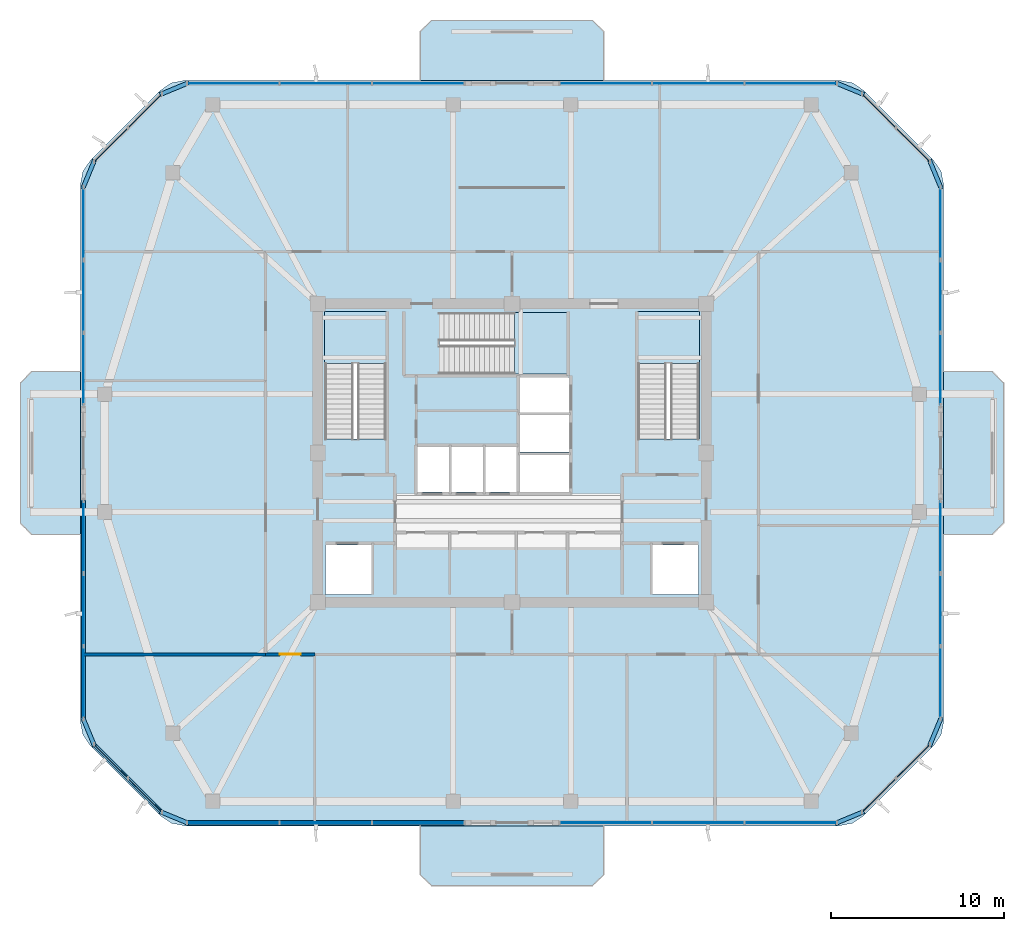
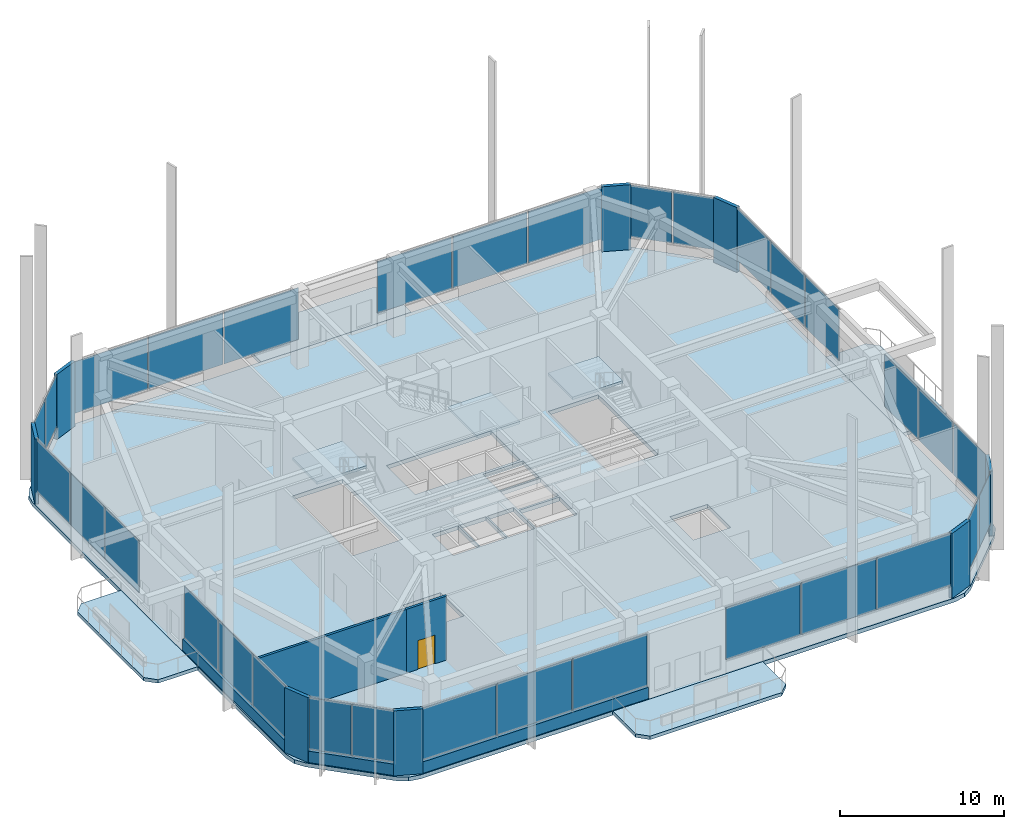
# One storey, part 6 of 14: 40 plates, 8 slabs, 5 walls, 1 door, 1 opening, 15 elements without a shape of their own.
"""IFC4 building model written with IfcOpenShell, lengths in metres."""

import ifcopenshell
import ifcopenshell.guid

model = None  # the IFC model being written
_history = None  # IfcOwnerHistory: only IFC2X3 demands one
_inside = {}  # id of a spatial element -> (the spatial element, [elements in it])
_under = {}  # id of a project, library or spatial element -> (it, [spatial elements below it])
_declared = {}  # id of a project -> (the project, [libraries it declares])
_typed = {}  # id of a type object -> (the type object, [elements of that type])
_made_of = {}  # id of a material, layer set ... -> (it, [elements and type objects made of it])


def new_model(schema):
    """Start an empty IFC model of exactly this schema.

    Asked for "IFC4X3", IfcOpenShell would pick the latest addendum, in which some entities
    have other attributes; the version numbers below select the first issue.
    IFC2X3 requires an IfcOwnerHistory on every rooted entity: one is made here for all.
    """
    global model, _history
    if schema == "IFC4X3":
        model = ifcopenshell.file(schema_version=(4, 3, 0, 0))
    else:
        model = ifcopenshell.file(schema=schema)
    _inside.clear()
    _under.clear()
    _declared.clear()
    _typed.clear()
    _made_of.clear()
    _history = None
    if model.schema == "IFC2X3":
        org = make("IfcOrganization", Name="unknown")
        user = make(
            "IfcPersonAndOrganization",
            ThePerson=make("IfcPerson", FamilyName="unknown"),
            TheOrganization=org,
        )
        app = make(
            "IfcApplication",
            ApplicationDeveloper=org,
            Version="unknown",
            ApplicationFullName="unknown",
            ApplicationIdentifier="unknown",
        )
        _history = make(
            "IfcOwnerHistory",
            OwningUser=user,
            OwningApplication=app,
            ChangeAction="ADDED",
            CreationDate=0,
        )
    return model


def make(cls, **values):
    """One entity of the class cls with the attributes given. An attribute that is None is left unset."""
    return model.create_entity(
        cls, **{name: value for name, value in values.items() if value is not None}
    )


def rooted(cls, **values):
    """An entity with a GlobalId (a new one), such as an element, a storey or a relation."""
    return make(cls, GlobalId=ifcopenshell.guid.new(), OwnerHistory=_history, **values)


def si_unit(unit_type, name, prefix=None):
    """IfcSIUnit, for example si_unit("LENGTHUNIT", "METRE", prefix="MILLI")."""
    return make("IfcSIUnit", UnitType=unit_type, Prefix=prefix, Name=name)


def derived_unit(unit_type, elements):
    """IfcDerivedUnit: a product of units, each with its exponent."""
    return make(
        "IfcDerivedUnit",
        Elements=[
            make("IfcDerivedUnitElement", Unit=unit, Exponent=power)
            for unit, power in elements
        ],
        UnitType=unit_type,
    )


def assignment(units):
    """IfcUnitAssignment: the units of a project."""
    return None if units is None else make("IfcUnitAssignment", Units=units)


def point(xyz):
    """IfcCartesianPoint."""
    return None if xyz is None else make("IfcCartesianPoint", Coordinates=xyz)


def direction(xyz):
    """IfcDirection."""
    return None if xyz is None else make("IfcDirection", DirectionRatios=xyz)


def frame(location, z_axis=None, x_axis=None):
    """IfcAxis2Placement3D, a coordinate frame: its origin and axes. An axis left out is left unset."""
    return make(
        "IfcAxis2Placement3D",
        Location=point(location),
        Axis=direction(z_axis),
        RefDirection=direction(x_axis),
    )


def frame_2d(location, x_axis=None):
    """IfcAxis2Placement2D, a coordinate frame in the plane: its origin and x axis."""
    return make(
        "IfcAxis2Placement2D", Location=point(location), RefDirection=direction(x_axis)
    )


def origin():
    """The frame at (0, 0, 0) with its axes left unset."""
    return frame((0.0, 0.0, 0.0))


def origin_2d():
    """The frame at (0, 0) in the plane with its x axis left unset."""
    return frame_2d((0.0, 0.0))


def place(relative_to, where):
    """IfcLocalPlacement: puts the frame where relative to a parent placement (None: the world)."""
    return make(
        "IfcLocalPlacement", PlacementRelTo=relative_to, RelativePlacement=where
    )


def context(
    kind, dimensions, precision=None, world=None, true_north=None, identifier=None
):
    """IfcGeometricRepresentationContext, for example the 3D "Model" context."""
    return make(
        "IfcGeometricRepresentationContext",
        ContextIdentifier=identifier,
        ContextType=kind,
        CoordinateSpaceDimension=dimensions,
        Precision=precision,
        WorldCoordinateSystem=world,
        TrueNorth=true_north,
    )


def subcontext(parent, identifier, kind, view, scale=None):
    """IfcGeometricRepresentationSubContext, for example "Body" below "Model"."""
    return make(
        "IfcGeometricRepresentationSubContext",
        ContextIdentifier=identifier,
        ContextType=kind,
        ParentContext=parent,
        TargetScale=scale,
        TargetView=view,
    )


def project(units=None, contexts=None):
    """IfcProject with its units and contexts."""
    return rooted(
        "IfcProject",
        Name="project",
        RepresentationContexts=contexts,
        UnitsInContext=assignment(units),
    )


def spatial(cls, under=None, at=None, **own):
    """A site, building, storey or space (cls), placed at a placement, below another one or the project."""
    s = rooted(cls, ObjectPlacement=at, **own)
    if under is not None:
        _under.setdefault(under.id(), (under, []))[1].append(s)
    return s


def polyline(points):
    """IfcPolyline through the points."""
    return make("IfcPolyline", Points=[point(p) for p in points])


def profile(cls, at=None, kind="AREA", **sizes):
    """A parametric profile (cls). Its sizes go by their IFC names, for example OverallWidth=200.0."""
    return make(cls, ProfileType=kind, Position=at, **sizes)


def rectangle(**sizes):
    """IfcRectangleProfileDef."""
    return profile("IfcRectangleProfileDef", **sizes)


def outline(outer, holes=None, kind="AREA"):
    """IfcArbitraryClosedProfileDef: a profile drawn as a closed curve; with holes, ...WithVoids."""
    if holes is None:
        return make("IfcArbitraryClosedProfileDef", ProfileType=kind, OuterCurve=outer)
    return make(
        "IfcArbitraryProfileDefWithVoids",
        ProfileType=kind,
        OuterCurve=outer,
        InnerCurves=holes,
    )


def extrude(swept, where, along, depth):
    """IfcExtrudedAreaSolid: the profile swept, set in the frame where, extruded along a direction by depth."""
    return make(
        "IfcExtrudedAreaSolid",
        SweptArea=swept,
        Position=where,
        ExtrudedDirection=direction(along),
        Depth=depth,
    )


def shape(context_of_items, identifier, shape_type, items):
    """IfcShapeRepresentation: the items that make up one representation, for example the "Body"."""
    return make(
        "IfcShapeRepresentation",
        ContextOfItems=context_of_items,
        RepresentationIdentifier=identifier,
        RepresentationType=shape_type,
        Items=items,
    )


def material(Name=None, Category=None):
    """IfcMaterial."""
    return make("IfcMaterial", Name=Name, Category=Category)


def layer(
    of_material, thickness, ventilated=None, Name=None, Category=None, Priority=None
):
    """IfcMaterialLayer: one layer of a wall or slab, of a material (None: an air gap)."""
    return make(
        "IfcMaterialLayer",
        Material=of_material,
        LayerThickness=thickness,
        IsVentilated=ventilated,
        Name=Name,
        Category=Category,
        Priority=Priority,
    )


def layer_set(layers, Name=None):
    """IfcMaterialLayerSet."""
    return make("IfcMaterialLayerSet", MaterialLayers=layers, LayerSetName=Name)


def made_of(thing, what):
    """Note that an element or type object is made of a material, layer set ...; save() writes the relation."""
    if what is not None:
        _made_of.setdefault(what.id(), (what, []))[1].append(thing)
    return thing


def type_object(cls, material=None, **own):
    """A type object (cls), such as IfcWallType, which elements share."""
    return made_of(rooted(cls, **own), material)


def element(
    cls,
    number,
    at=None,
    inside=None,
    cuts=None,
    type_object=None,
    material=None,
    context=None,
    identifier="Body",
    shape_type=None,
    held_by="IfcProductDefinitionShape",
    body=None,
    shapes=None,
    **own,
):
    """One element of the class cls, such as IfcWall. Its Tag is "e" and its number.

    at: its placement. inside: the storey or other place that contains it. cuts: it is an
    opening in that element (IfcRelVoidsElement). A single representation is given by context,
    identifier, shape_type and body (its items); several are given by shapes. held_by: the class
    of the entity that holds the representations. save() writes the other relations.
    """
    e = rooted(cls, Tag="e%d" % number, ObjectPlacement=at, **own)
    if body is not None:
        shapes = [shape(context, identifier, shape_type, body)]
    if shapes is not None:
        e.Representation = make(held_by, Representations=shapes)
    if inside is not None:
        _inside.setdefault(inside.id(), (inside, []))[1].append(e)
    if cuts is not None:
        rooted(
            "IfcRelVoidsElement", RelatingBuildingElement=cuts, RelatedOpeningElement=e
        )
    if type_object is not None:
        _typed.setdefault(type_object.id(), (type_object, []))[1].append(e)
    return made_of(e, material)


def fill(opening, filler):
    """IfcRelFillsElement: the door or window that sits in an opening."""
    return rooted(
        "IfcRelFillsElement",
        RelatingOpeningElement=opening,
        RelatedBuildingElement=filler,
    )


def aggregate(whole, parts):
    """IfcRelAggregates: a whole, such as a stair, and the parts it consists of."""
    return rooted("IfcRelAggregates", RelatingObject=whole, RelatedObjects=parts)


def save(model, path):
    """Write the relations noted so far, then the file.

    IfcRelAggregates (storeys below a building ...), IfcRelContainedInSpatialStructure (elements
    in a storey), IfcRelDefinesByType, IfcRelAssociatesMaterial and IfcRelDeclares: one each for
    every whole, place, type object, material and project.
    """
    for whole, parts in _under.values():
        aggregate(whole, parts)
    for where, things in _inside.values():
        rooted(
            "IfcRelContainedInSpatialStructure",
            RelatedElements=things,
            RelatingStructure=where,
        )
    for kind, things in _typed.values():
        rooted("IfcRelDefinesByType", RelatedObjects=things, RelatingType=kind)
    for what, things in _made_of.values():
        rooted("IfcRelAssociatesMaterial", RelatedObjects=things, RelatingMaterial=what)
    for by, libraries in _declared.values():
        rooted("IfcRelDeclares", RelatingContext=by, RelatedDefinitions=libraries)
    model.write(path)


model = new_model("IFC4")

# Units and contexts
model_context = context("Model", 3, precision=1e-05, world=origin(), true_north=direction((0.0, 1.0)))
body_context = subcontext(model_context, "Body", "Model", "MODEL_VIEW")
ifc_project = project(units=[si_unit("LENGTHUNIT", "METRE"), si_unit("AREAUNIT", "SQUARE_METRE"), si_unit("VOLUMEUNIT", "CUBIC_METRE"), si_unit("PLANEANGLEUNIT", "RADIAN"), si_unit("MASSUNIT", "GRAM", prefix="KILO"), derived_unit("THERMALTRANSMITTANCEUNIT", [(si_unit("POWERUNIT", "WATT"), 1), (si_unit("LENGTHUNIT", "METRE"), -2), (si_unit("THERMODYNAMICTEMPERATUREUNIT", "KELVIN"), -1)])], contexts=[model_context])

# Site, building, storey
site_placement = place(None, origin())
site = spatial("IfcSite", under=ifc_project, at=site_placement, CompositionType="ELEMENT")
building_placement = place(site_placement, origin())
building = spatial("IfcBuilding", under=site, at=building_placement, Name="Koralith Skygarden Medical Center", CompositionType="ELEMENT")
storey_placement = place(building_placement, frame((0.0, 0.0, 237.06005859375)))
storey = spatial("IfcBuildingStorey", under=building, at=storey_placement, Name="L61", CompositionType="ELEMENT", Elevation=237.06005859375)

# Curtain wall, plates
ifc_material_1 = material(Name="Clear Laminated Glass", Category="glass")
curtain_wall_type = type_object("IfcCurtainWallType", Name="CW-7 Sky-Garden & Pool Conservatory Wall", PredefinedType="NOTDEFINED", material=ifc_material_1)
curtain_wall_1_placement = place(storey_placement, origin())
curtain_wall_1 = element("IfcCurtainWall", 1, at=curtain_wall_1_placement, inside=storey, type_object=curtain_wall_type, Name="Curtain Wall CW-L61-S-L", PredefinedType="NOTDEFINED")
ifc_layer_1 = layer(ifc_material_1, 0.0419921875)
ifc_layer_set_1 = layer_set([ifc_layer_1], Name="Clear Laminated Glass")
plate_type_1 = type_object("IfcPlateType", Name="CW-7 Hurricane Laminated IGU Panel 42", PredefinedType="CURTAIN_PANEL", material=ifc_layer_set_1)
plate_1_placement = place(storey_placement, frame((20.922119140625, 4.580078125, 0.919921875), z_axis=(0.0, 0.0, 1.0), x_axis=(1.0, 0.0, 0.0)))
plate_1 = element("IfcPlate", 2, at=plate_1_placement, type_object=plate_type_1, Name="CW-L61-S-L Glazed Panel 1", PredefinedType="CURTAIN_PANEL", context=body_context, shape_type="SweptSolid", body=[
    extrude(rectangle(XDim=5.2451171875, YDim=0.0419921875, at=origin_2d()), origin(), (0.0, 0.0, 1.0), 3.860107421875),
])
plate_2_placement = place(storey_placement, frame((26.257080078125, 4.580078125, 0.919921875), z_axis=(0.0, 0.0, 1.0), x_axis=(1.0, 0.0, 0.0)))
plate_2 = element("IfcPlate", 3, at=plate_2_placement, type_object=plate_type_1, Name="CW-L61-S-L Glazed Panel 2", PredefinedType="CURTAIN_PANEL", context=body_context, shape_type="SweptSolid", body=[
    extrude(rectangle(XDim=5.2451171875, YDim=0.0419921875, at=origin_2d()), origin(), (0.0, 0.0, 1.0), 3.860107421875),
])
plate_3_placement = place(storey_placement, frame((31.592041015625, 4.580078125, 0.919921875), z_axis=(0.0, 0.0, 1.0), x_axis=(1.0, 0.0, 0.0)))
plate_3 = element("IfcPlate", 4, at=plate_3_placement, type_object=plate_type_1, Name="CW-L61-S-L Glazed Panel 3", PredefinedType="CURTAIN_PANEL", context=body_context, shape_type="SweptSolid", body=[
    extrude(rectangle(XDim=5.2451171875, YDim=0.0419921875, at=origin_2d()), origin(), (0.0, 0.0, 1.0), 3.860107421875),
])
aggregate(curtain_wall_1, [plate_1, plate_2, plate_3])

curtain_wall_2_placement = place(storey_placement, origin())
curtain_wall_2 = element("IfcCurtainWall", 5, at=curtain_wall_2_placement, inside=storey, type_object=curtain_wall_type, Name="Curtain Wall CW-L61-S-R", PredefinedType="NOTDEFINED")
plate_4_placement = place(storey_placement, frame((42.406982421875, 4.580078125, 0.919921875), z_axis=(0.0, 0.0, 1.0), x_axis=(1.0, 0.0, 0.0)))
plate_4 = element("IfcPlate", 6, at=plate_4_placement, type_object=plate_type_1, Name="CW-L61-S-R Glazed Panel 1", PredefinedType="CURTAIN_PANEL", context=body_context, shape_type="SweptSolid", body=[
    extrude(rectangle(XDim=5.2451171875, YDim=0.0419921875, at=origin_2d()), origin(), (0.0, 0.0, 1.0), 3.860107421875),
])
plate_5_placement = place(storey_placement, frame((47.741943359375, 4.580078125, 0.919921875), z_axis=(0.0, 0.0, 1.0), x_axis=(1.0, 0.0, 0.0)))
plate_5 = element("IfcPlate", 7, at=plate_5_placement, type_object=plate_type_1, Name="CW-L61-S-R Glazed Panel 2", PredefinedType="CURTAIN_PANEL", context=body_context, shape_type="SweptSolid", body=[
    extrude(rectangle(XDim=5.2451171875, YDim=0.0419921875, at=origin_2d()), origin(), (0.0, 0.0, 1.0), 3.860107421875),
])
plate_6_placement = place(storey_placement, frame((53.076904296875, 4.580078125, 0.919921875), z_axis=(0.0, 0.0, 1.0), x_axis=(1.0, 0.0, 0.0)))
plate_6 = element("IfcPlate", 8, at=plate_6_placement, type_object=plate_type_1, Name="CW-L61-S-R Glazed Panel 3", PredefinedType="CURTAIN_PANEL", context=body_context, shape_type="SweptSolid", body=[
    extrude(rectangle(XDim=5.2451171875, YDim=0.0419921875, at=origin_2d()), origin(), (0.0, 0.0, 1.0), 3.860107421875),
])
aggregate(curtain_wall_2, [plate_4, plate_5, plate_6])

curtain_wall_3_placement = place(storey_placement, origin())
curtain_wall_3 = element("IfcCurtainWall", 9, at=curtain_wall_3_placement, inside=storey, type_object=curtain_wall_type, Name="Curtain Wall CW-L61-SE", PredefinedType="NOTDEFINED")
plate_7_placement = place(storey_placement, frame((58.177001953125, 6.162109375, 0.919921875), z_axis=(0.0, 0.0, 1.0), x_axis=(0.707106781187, 0.707106781187, 0.0)))
plate_7 = element("IfcPlate", 10, at=plate_7_placement, type_object=plate_type_1, Name="CW-L61-SE Glazed Panel 1", PredefinedType="CURTAIN_PANEL", context=body_context, shape_type="SweptSolid", body=[
    extrude(rectangle(XDim=2.68408203125, YDim=0.0419921875, at=origin_2d()), origin(), (0.0, 0.0, 1.0), 3.860107421875),
])
plate_8_placement = place(storey_placement, frame((60.137939453125, 8.123046875, 0.919921875), z_axis=(0.0, 0.0, 1.0), x_axis=(0.707106781187, 0.707106781187, 0.0)))
plate_8 = element("IfcPlate", 11, at=plate_8_placement, type_object=plate_type_1, Name="CW-L61-SE Glazed Panel 2", PredefinedType="CURTAIN_PANEL", context=body_context, shape_type="SweptSolid", body=[
    extrude(rectangle(XDim=2.68408203125, YDim=0.0419921875, at=origin_2d()), origin(), (0.0, 0.0, 1.0), 3.860107421875),
])
aggregate(curtain_wall_3, [plate_7, plate_8])

curtain_wall_4_placement = place(storey_placement, origin())
curtain_wall_4 = element("IfcCurtainWall", 12, at=curtain_wall_4_placement, inside=storey, type_object=curtain_wall_type, Name="Curtain Wall CW-L61-E-L", PredefinedType="NOTDEFINED")
plate_9_placement = place(storey_placement, frame((61.719970703125, 12.656005859375, 0.919921875), z_axis=(0.0, 0.0, 1.0), x_axis=(0.0, 1.0, 0.0)))
plate_9 = element("IfcPlate", 13, at=plate_9_placement, type_object=plate_type_1, Name="CW-L61-E-L Glazed Panel 1", PredefinedType="CURTAIN_PANEL", context=body_context, shape_type="SweptSolid", body=[
    extrude(rectangle(XDim=4.112060546875, YDim=0.0419921875, at=origin_2d()), origin(), (0.0, 0.0, 1.0), 3.860107421875),
])
plate_10_placement = place(storey_placement, frame((61.719970703125, 16.85791015625, 0.919921875), z_axis=(0.0, 0.0, 1.0), x_axis=(0.0, 1.0, 0.0)))
plate_10 = element("IfcPlate", 14, at=plate_10_placement, type_object=plate_type_1, Name="CW-L61-E-L Glazed Panel 2", PredefinedType="CURTAIN_PANEL", context=body_context, shape_type="SweptSolid", body=[
    extrude(rectangle(XDim=4.112060546875, YDim=0.0419921875, at=origin_2d()), origin(), (0.0, 0.0, 1.0), 3.860107421875),
])
plate_11_placement = place(storey_placement, frame((61.719970703125, 21.05908203125, 0.919921875), z_axis=(0.0, 0.0, 1.0), x_axis=(0.0, 1.0, 0.0)))
plate_11 = element("IfcPlate", 15, at=plate_11_placement, type_object=plate_type_1, Name="CW-L61-E-L Glazed Panel 3", PredefinedType="CURTAIN_PANEL", context=body_context, shape_type="SweptSolid", body=[
    extrude(rectangle(XDim=4.112060546875, YDim=0.0419921875, at=origin_2d()), origin(), (0.0, 0.0, 1.0), 3.860107421875),
])
aggregate(curtain_wall_4, [plate_9, plate_10, plate_11])

curtain_wall_5_placement = place(storey_placement, origin())
curtain_wall_5 = element("IfcCurtainWall", 16, at=curtain_wall_5_placement, inside=storey, type_object=curtain_wall_type, Name="Curtain Wall CW-L61-E-R", PredefinedType="NOTDEFINED")
plate_12_placement = place(storey_placement, frame((61.719970703125, 30.740966796875, 0.919921875), z_axis=(0.0, 0.0, 1.0), x_axis=(0.0, 1.0, 0.0)))
plate_12 = element("IfcPlate", 17, at=plate_12_placement, type_object=plate_type_1, Name="CW-L61-E-R Glazed Panel 1", PredefinedType="CURTAIN_PANEL", context=body_context, shape_type="SweptSolid", body=[
    extrude(rectangle(XDim=4.112060546875, YDim=0.0419921875, at=origin_2d()), origin(), (0.0, 0.0, 1.0), 3.860107421875),
])
plate_13_placement = place(storey_placement, frame((61.719970703125, 34.94189453125, 0.919921875), z_axis=(0.0, 0.0, 1.0), x_axis=(0.0, 1.0, 0.0)))
plate_13 = element("IfcPlate", 18, at=plate_13_placement, type_object=plate_type_1, Name="CW-L61-E-R Glazed Panel 2", PredefinedType="CURTAIN_PANEL", context=body_context, shape_type="SweptSolid", body=[
    extrude(rectangle(XDim=4.112060546875, YDim=0.0419921875, at=origin_2d()), origin(), (0.0, 0.0, 1.0), 3.860107421875),
])
plate_14_placement = place(storey_placement, frame((61.719970703125, 39.14404296875, 0.919921875), z_axis=(0.0, 0.0, 1.0), x_axis=(0.0, 1.0, 0.0)))
plate_14 = element("IfcPlate", 19, at=plate_14_placement, type_object=plate_type_1, Name="CW-L61-E-R Glazed Panel 3", PredefinedType="CURTAIN_PANEL", context=body_context, shape_type="SweptSolid", body=[
    extrude(rectangle(XDim=4.112060546875, YDim=0.0419921875, at=origin_2d()), origin(), (0.0, 0.0, 1.0), 3.860107421875),
])
aggregate(curtain_wall_5, [plate_12, plate_13, plate_14])

curtain_wall_6_placement = place(storey_placement, origin())
curtain_wall_6 = element("IfcCurtainWall", 20, at=curtain_wall_6_placement, inside=storey, type_object=curtain_wall_type, Name="Curtain Wall CW-L61-NE", PredefinedType="NOTDEFINED")
plate_15_placement = place(storey_placement, frame((60.137939453125, 43.677001953125, 0.919921875), z_axis=(0.0, 0.0, 1.0), x_axis=(-0.707106781187, 0.707106781187, 0.0)))
plate_15 = element("IfcPlate", 21, at=plate_15_placement, type_object=plate_type_1, Name="CW-L61-NE Glazed Panel 1", PredefinedType="CURTAIN_PANEL", context=body_context, shape_type="SweptSolid", body=[
    extrude(rectangle(XDim=2.68408203125, YDim=0.0419921875, at=origin_2d()), origin(), (0.0, 0.0, 1.0), 3.860107421875),
])
plate_16_placement = place(storey_placement, frame((58.177001953125, 45.637939453125, 0.919921875), z_axis=(0.0, 0.0, 1.0), x_axis=(-0.707106781187, 0.707106781187, 0.0)))
plate_16 = element("IfcPlate", 22, at=plate_16_placement, type_object=plate_type_1, Name="CW-L61-NE Glazed Panel 2", PredefinedType="CURTAIN_PANEL", context=body_context, shape_type="SweptSolid", body=[
    extrude(rectangle(XDim=2.68408203125, YDim=0.0419921875, at=origin_2d()), origin(), (0.0, 0.0, 1.0), 3.860107421875),
])
aggregate(curtain_wall_6, [plate_15, plate_16])

curtain_wall_7_placement = place(storey_placement, origin())
curtain_wall_7 = element("IfcCurtainWall", 23, at=curtain_wall_7_placement, inside=storey, type_object=curtain_wall_type, Name="Curtain Wall CW-L61-N-L", PredefinedType="NOTDEFINED")
plate_17_placement = place(storey_placement, frame((53.077880859375, 47.219970703125, 0.919921875), z_axis=(0.0, 0.0, 1.0), x_axis=(-1.0, 0.0, 0.0)))
plate_17 = element("IfcPlate", 24, at=plate_17_placement, type_object=plate_type_1, Name="CW-L61-N-L Glazed Panel 1", PredefinedType="CURTAIN_PANEL", context=body_context, shape_type="SweptSolid", body=[
    extrude(rectangle(XDim=5.2451171875, YDim=0.0419921875, at=origin_2d()), origin(), (0.0, 0.0, 1.0), 3.860107421875),
])
plate_18_placement = place(storey_placement, frame((47.742919921875, 47.219970703125, 0.919921875), z_axis=(0.0, 0.0, 1.0), x_axis=(-1.0, 0.0, 0.0)))
plate_18 = element("IfcPlate", 25, at=plate_18_placement, type_object=plate_type_1, Name="CW-L61-N-L Glazed Panel 2", PredefinedType="CURTAIN_PANEL", context=body_context, shape_type="SweptSolid", body=[
    extrude(rectangle(XDim=5.2451171875, YDim=0.0419921875, at=origin_2d()), origin(), (0.0, 0.0, 1.0), 3.860107421875),
])
plate_19_placement = place(storey_placement, frame((42.407958984375, 47.219970703125, 0.919921875), z_axis=(0.0, 0.0, 1.0), x_axis=(-1.0, 0.0, 0.0)))
plate_19 = element("IfcPlate", 26, at=plate_19_placement, type_object=plate_type_1, Name="CW-L61-N-L Glazed Panel 3", PredefinedType="CURTAIN_PANEL", context=body_context, shape_type="SweptSolid", body=[
    extrude(rectangle(XDim=5.2451171875, YDim=0.0419921875, at=origin_2d()), origin(), (0.0, 0.0, 1.0), 3.860107421875),
])
aggregate(curtain_wall_7, [plate_17, plate_18, plate_19])

curtain_wall_8_placement = place(storey_placement, origin())
curtain_wall_8 = element("IfcCurtainWall", 27, at=curtain_wall_8_placement, inside=storey, type_object=curtain_wall_type, Name="Curtain Wall CW-L61-N-R", PredefinedType="NOTDEFINED")
plate_20_placement = place(storey_placement, frame((31.593017578125, 47.219970703125, 0.919921875), z_axis=(0.0, 0.0, 1.0), x_axis=(-1.0, 0.0, 0.0)))
plate_20 = element("IfcPlate", 28, at=plate_20_placement, type_object=plate_type_1, Name="CW-L61-N-R Glazed Panel 1", PredefinedType="CURTAIN_PANEL", context=body_context, shape_type="SweptSolid", body=[
    extrude(rectangle(XDim=5.2451171875, YDim=0.0419921875, at=origin_2d()), origin(), (0.0, 0.0, 1.0), 3.860107421875),
])
plate_21_placement = place(storey_placement, frame((26.258056640625, 47.219970703125, 0.919921875), z_axis=(0.0, 0.0, 1.0), x_axis=(-1.0, 0.0, 0.0)))
plate_21 = element("IfcPlate", 29, at=plate_21_placement, type_object=plate_type_1, Name="CW-L61-N-R Glazed Panel 2", PredefinedType="CURTAIN_PANEL", context=body_context, shape_type="SweptSolid", body=[
    extrude(rectangle(XDim=5.2451171875, YDim=0.0419921875, at=origin_2d()), origin(), (0.0, 0.0, 1.0), 3.860107421875),
])
plate_22_placement = place(storey_placement, frame((20.923095703125, 47.219970703125, 0.919921875), z_axis=(0.0, 0.0, 1.0), x_axis=(-1.0, 0.0, 0.0)))
plate_22 = element("IfcPlate", 30, at=plate_22_placement, type_object=plate_type_1, Name="CW-L61-N-R Glazed Panel 3", PredefinedType="CURTAIN_PANEL", context=body_context, shape_type="SweptSolid", body=[
    extrude(rectangle(XDim=5.2451171875, YDim=0.0419921875, at=origin_2d()), origin(), (0.0, 0.0, 1.0), 3.860107421875),
])
aggregate(curtain_wall_8, [plate_20, plate_21, plate_22])

curtain_wall_9_placement = place(storey_placement, origin())
curtain_wall_9 = element("IfcCurtainWall", 31, at=curtain_wall_9_placement, inside=storey, type_object=curtain_wall_type, Name="Curtain Wall CW-L61-NW", PredefinedType="NOTDEFINED")
plate_23_placement = place(storey_placement, frame((15.822998046875, 45.637939453125, 0.919921875), z_axis=(0.0, 0.0, 1.0), x_axis=(-0.707106781187, -0.707106781187, 0.0)))
plate_23 = element("IfcPlate", 32, at=plate_23_placement, type_object=plate_type_1, Name="CW-L61-NW Glazed Panel 1", PredefinedType="CURTAIN_PANEL", context=body_context, shape_type="SweptSolid", body=[
    extrude(rectangle(XDim=2.68408203125, YDim=0.0419921875, at=origin_2d()), origin(), (0.0, 0.0, 1.0), 3.860107421875),
])
plate_24_placement = place(storey_placement, frame((13.862060546875, 43.677001953125, 0.919921875), z_axis=(0.0, 0.0, 1.0), x_axis=(-0.707106781187, -0.707106781187, 0.0)))
plate_24 = element("IfcPlate", 33, at=plate_24_placement, type_object=plate_type_1, Name="CW-L61-NW Glazed Panel 2", PredefinedType="CURTAIN_PANEL", context=body_context, shape_type="SweptSolid", body=[
    extrude(rectangle(XDim=2.68408203125, YDim=0.0419921875, at=origin_2d()), origin(), (0.0, 0.0, 1.0), 3.860107421875),
])
aggregate(curtain_wall_9, [plate_23, plate_24])

curtain_wall_10_placement = place(storey_placement, origin())
curtain_wall_10 = element("IfcCurtainWall", 34, at=curtain_wall_10_placement, inside=storey, type_object=curtain_wall_type, Name="Curtain Wall CW-L61-W-L", PredefinedType="NOTDEFINED")
plate_25_placement = place(storey_placement, frame((12.280029296875, 39.14404296875, 0.919921875), z_axis=(0.0, 0.0, 1.0), x_axis=(0.0, -1.0, 0.0)))
plate_25 = element("IfcPlate", 35, at=plate_25_placement, type_object=plate_type_1, Name="CW-L61-W-L Glazed Panel 1", PredefinedType="CURTAIN_PANEL", context=body_context, shape_type="SweptSolid", body=[
    extrude(rectangle(XDim=4.112060546875, YDim=0.0419921875, at=origin_2d()), origin(), (0.0, 0.0, 1.0), 3.860107421875),
])
plate_26_placement = place(storey_placement, frame((12.280029296875, 34.94189453125, 0.919921875), z_axis=(0.0, 0.0, 1.0), x_axis=(0.0, -1.0, 0.0)))
plate_26 = element("IfcPlate", 36, at=plate_26_placement, type_object=plate_type_1, Name="CW-L61-W-L Glazed Panel 2", PredefinedType="CURTAIN_PANEL", context=body_context, shape_type="SweptSolid", body=[
    extrude(rectangle(XDim=4.112060546875, YDim=0.0419921875, at=origin_2d()), origin(), (0.0, 0.0, 1.0), 3.860107421875),
])
plate_27_placement = place(storey_placement, frame((12.280029296875, 30.740966796875, 0.919921875), z_axis=(0.0, 0.0, 1.0), x_axis=(0.0, -1.0, 0.0)))
plate_27 = element("IfcPlate", 37, at=plate_27_placement, type_object=plate_type_1, Name="CW-L61-W-L Glazed Panel 3", PredefinedType="CURTAIN_PANEL", context=body_context, shape_type="SweptSolid", body=[
    extrude(rectangle(XDim=4.112060546875, YDim=0.0419921875, at=origin_2d()), origin(), (0.0, 0.0, 1.0), 3.860107421875),
])
aggregate(curtain_wall_10, [plate_25, plate_26, plate_27])

curtain_wall_11_placement = place(storey_placement, origin())
curtain_wall_11 = element("IfcCurtainWall", 38, at=curtain_wall_11_placement, inside=storey, type_object=curtain_wall_type, Name="Curtain Wall CW-L61-W-R", PredefinedType="NOTDEFINED")
plate_28_placement = place(storey_placement, frame((12.280029296875, 21.05908203125, 0.919921875), z_axis=(0.0, 0.0, 1.0), x_axis=(0.0, -1.0, 0.0)))
plate_28 = element("IfcPlate", 39, at=plate_28_placement, type_object=plate_type_1, Name="CW-L61-W-R Glazed Panel 1", PredefinedType="CURTAIN_PANEL", context=body_context, shape_type="SweptSolid", body=[
    extrude(rectangle(XDim=4.112060546875, YDim=0.0419921875, at=origin_2d()), origin(), (0.0, 0.0, 1.0), 3.860107421875),
])
plate_29_placement = place(storey_placement, frame((12.280029296875, 16.85791015625, 0.919921875), z_axis=(0.0, 0.0, 1.0), x_axis=(0.0, -1.0, 0.0)))
plate_29 = element("IfcPlate", 40, at=plate_29_placement, type_object=plate_type_1, Name="CW-L61-W-R Glazed Panel 2", PredefinedType="CURTAIN_PANEL", context=body_context, shape_type="SweptSolid", body=[
    extrude(rectangle(XDim=4.112060546875, YDim=0.0419921875, at=origin_2d()), origin(), (0.0, 0.0, 1.0), 3.860107421875),
])
plate_30_placement = place(storey_placement, frame((12.280029296875, 12.656005859375, 0.919921875), z_axis=(0.0, 0.0, 1.0), x_axis=(0.0, -1.0, 0.0)))
plate_30 = element("IfcPlate", 41, at=plate_30_placement, type_object=plate_type_1, Name="CW-L61-W-R Glazed Panel 3", PredefinedType="CURTAIN_PANEL", context=body_context, shape_type="SweptSolid", body=[
    extrude(rectangle(XDim=4.112060546875, YDim=0.0419921875, at=origin_2d()), origin(), (0.0, 0.0, 1.0), 3.860107421875),
])
aggregate(curtain_wall_11, [plate_28, plate_29, plate_30])

curtain_wall_12_placement = place(storey_placement, origin())
curtain_wall_12 = element("IfcCurtainWall", 42, at=curtain_wall_12_placement, inside=storey, type_object=curtain_wall_type, Name="Curtain Wall CW-L61-SW", PredefinedType="NOTDEFINED")
plate_31_placement = place(storey_placement, frame((13.862060546875, 8.123046875, 0.919921875), z_axis=(0.0, 0.0, 1.0), x_axis=(0.707106781187, -0.707106781187, 0.0)))
plate_31 = element("IfcPlate", 43, at=plate_31_placement, type_object=plate_type_1, Name="CW-L61-SW Glazed Panel 1", PredefinedType="CURTAIN_PANEL", context=body_context, shape_type="SweptSolid", body=[
    extrude(rectangle(XDim=2.68408203125, YDim=0.0419921875, at=origin_2d()), origin(), (0.0, 0.0, 1.0), 3.860107421875),
])
plate_32_placement = place(storey_placement, frame((15.822998046875, 6.162109375, 0.919921875), z_axis=(0.0, 0.0, 1.0), x_axis=(0.707106781187, -0.707106781187, 0.0)))
plate_32 = element("IfcPlate", 44, at=plate_32_placement, type_object=plate_type_1, Name="CW-L61-SW Glazed Panel 2", PredefinedType="CURTAIN_PANEL", context=body_context, shape_type="SweptSolid", body=[
    extrude(rectangle(XDim=2.68408203125, YDim=0.0419921875, at=origin_2d()), origin(), (0.0, 0.0, 1.0), 3.860107421875),
])
aggregate(curtain_wall_12, [plate_31, plate_32])

# Slabs
ifc_material_2 = material(Name="Concrete C45/55", Category="concrete")
ifc_layer_2 = layer(ifc_material_2, 0.260009765625)
ifc_layer_set_2 = layer_set([ifc_layer_2], Name="Concrete C45/55")
slab_type_1 = type_object("IfcSlabType", Name="Cantilevered Planted Balcony Slab 260", PredefinedType="FLOOR", material=ifc_layer_set_2)
slab_1_placement = place(storey_placement, frame((0.0, 0.0, -0.260009765625)))
element("IfcSlab", 45, at=slab_1_placement, inside=storey, type_object=slab_type_1, Name="L61 N Planted Sky-Garden Balcony Slab", PredefinedType="FLOOR", context=body_context, shape_type="SweptSolid", body=[
    extrude(outline(polyline([(31.699951171875, 47.39990234375), (42.300048828125, 47.39990234375), (42.300048828125, 50.199951171875), (41.64990234375, 50.85009765625), (32.35009765625, 50.85009765625), (31.699951171875, 50.199951171875), (31.699951171875, 47.39990234375)])), origin(), (0.0, 0.0, 1.0), 0.260009765625),
])
slab_2_placement = place(storey_placement, frame((0.0, 0.0, -0.260009765625)))
element("IfcSlab", 46, at=slab_2_placement, inside=storey, type_object=slab_type_1, Name="L61 S Planted Sky-Garden Balcony Slab", PredefinedType="FLOOR", context=body_context, shape_type="SweptSolid", body=[
    extrude(outline(polyline([(32.35009765625, 0.949951171875), (41.64990234375, 0.949951171875), (42.300048828125, 1.60009765625), (42.300048828125, 4.39990234375), (31.699951171875, 4.39990234375), (31.699951171875, 1.60009765625), (32.35009765625, 0.949951171875)])), origin(), (0.0, 0.0, 1.0), 0.260009765625),
])
slab_3_placement = place(storey_placement, frame((0.0, 0.0, -0.260009765625)))
element("IfcSlab", 47, at=slab_3_placement, inside=storey, type_object=slab_type_1, Name="L61 E Planted Sky-Garden Balcony Slab", PredefinedType="FLOOR", context=body_context, shape_type="SweptSolid", body=[
    extrude(outline(polyline([(61.89990234375, 21.199951171875), (64.699951171875, 21.199951171875), (65.35009765625, 21.85009765625), (65.35009765625, 29.949951171875), (64.699951171875, 30.60009765625), (61.89990234375, 30.60009765625), (61.89990234375, 21.199951171875)])), origin(), (0.0, 0.0, 1.0), 0.260009765625),
])
slab_4_placement = place(storey_placement, frame((0.0, 0.0, -0.260009765625)))
element("IfcSlab", 48, at=slab_4_placement, inside=storey, type_object=slab_type_1, Name="L61 W Planted Sky-Garden Balcony Slab", PredefinedType="FLOOR", context=body_context, shape_type="SweptSolid", body=[
    extrude(outline(polyline([(9.300048828125, 21.199951171875), (12.10009765625, 21.199951171875), (12.10009765625, 30.60009765625), (9.300048828125, 30.60009765625), (8.64990234375, 29.949951171875), (8.64990234375, 21.85009765625), (9.300048828125, 21.199951171875)])), origin(), (0.0, 0.0, 1.0), 0.260009765625),
])

# Stair, slab
stair_type = type_object("IfcStairType", Name="Core Exit Dogleg Concrete Stair", PredefinedType="HALF_TURN_STAIR", material=ifc_material_2)
stair_1_placement = place(storey_placement, origin())
stair_1 = element("IfcStair", 49, at=stair_1_placement, inside=storey, type_object=stair_type, Name="L61 Smokeproof Exit Stair ST1", PredefinedType="HALF_TURN_STAIR")
ifc_layer_3 = layer(ifc_material_2, 0.199951171875)
ifc_layer_set_3 = layer_set([ifc_layer_3], Name="Concrete C45/55")
slab_type_2 = type_object("IfcSlabType", Name="Core Exit Concrete Stair Landing 200", PredefinedType="LANDING", material=ifc_layer_set_3)
slab_5_placement = place(storey_placement, frame((0.0, 0.0, 2.679931640625)))
slab_5 = element("IfcSlab", 50, at=slab_5_placement, type_object=slab_type_2, Name="ST1 landing 1", PredefinedType="LANDING", context=body_context, shape_type="SweptSolid", body=[
    extrude(outline(polyline([(29.75, 31.050048828125), (29.75, 34.050048828125), (26.199951171875, 34.050048828125), (26.199951171875, 31.050048828125), (29.75, 31.050048828125)])), origin(), (0.0, 0.0, 1.0), 0.199951171875),
])
aggregate(stair_1, [slab_5])

stair_2_placement = place(storey_placement, origin())
stair_2 = element("IfcStair", 51, at=stair_2_placement, inside=storey, type_object=stair_type, Name="L61 Smokeproof Exit Stair ST2", PredefinedType="HALF_TURN_STAIR")
slab_6_placement = place(storey_placement, frame((0.0, 0.0, 2.679931640625)))
slab_6 = element("IfcSlab", 52, at=slab_6_placement, type_object=slab_type_2, Name="ST2 landing 1", PredefinedType="LANDING", context=body_context, shape_type="SweptSolid", body=[
    extrude(outline(polyline([(47.800048828125, 31.050048828125), (47.800048828125, 34.050048828125), (44.25, 34.050048828125), (44.25, 31.050048828125), (47.800048828125, 31.050048828125)])), origin(), (0.0, 0.0, 1.0), 0.199951171875),
])
aggregate(stair_2, [slab_6])

stair_3_placement = place(storey_placement, origin())
stair_3 = element("IfcStair", 53, at=stair_3_placement, inside=storey, type_object=stair_type, Name="L61 Smokeproof Exit Stair ST3", PredefinedType="HALF_TURN_STAIR")
slab_7_placement = place(storey_placement, frame((0.0, 0.0, 2.679931640625)))
slab_7 = element("IfcSlab", 54, at=slab_7_placement, type_object=slab_type_2, Name="ST3 landing 1", PredefinedType="LANDING", context=body_context, shape_type="SweptSolid", body=[
    extrude(outline(polyline([(37.14990234375, 30.449951171875), (40.199951171875, 30.449951171875), (40.199951171875, 34.0), (37.14990234375, 34.0), (37.14990234375, 30.449951171875)])), origin(), (0.0, 0.0, 1.0), 0.199951171875),
])
aggregate(stair_3, [slab_7])

# Slab
ifc_layer_4 = layer(ifc_material_2, 0.300048828125)
ifc_layer_set_4 = layer_set([ifc_layer_4], Name="Concrete C45/55")
slab_type_3 = type_object("IfcSlabType", Name="Podium & Diagnostic Stiffened Slab 300", PredefinedType="FLOOR", material=ifc_layer_set_4)
slab_8_placement = place(storey_placement, frame((0.0, 0.0, -0.300048828125)))
element("IfcSlab", 55, at=slab_8_placement, inside=storey, type_object=slab_type_3, Name="Level L61 Structural Floor Slab", PredefinedType="FLOOR", context=body_context, shape_type="SweptSolid", body=[
    extrude(outline(polyline([(16.714111328125, 4.986083984375), (17.363037109375, 4.552001953125), (18.1279296875, 4.39990234375), (55.8720703125, 4.39990234375), (56.636962890625, 4.552001953125), (57.285888671875, 4.986083984375), (61.31396484375, 9.013916015625), (61.748046875, 9.6630859375), (61.89990234375, 10.427978515625), (61.89990234375, 41.3720703125), (61.748046875, 42.136962890625), (61.31396484375, 42.785888671875), (57.285888671875, 46.81396484375), (56.636962890625, 47.248046875), (55.8720703125, 47.39990234375), (18.1279296875, 47.39990234375), (17.363037109375, 47.248046875), (16.714111328125, 46.81396484375), (12.68603515625, 42.785888671875), (12.251953125, 42.136962890625), (12.10009765625, 41.3720703125), (12.10009765625, 10.427978515625), (12.251953125, 9.6630859375), (12.68603515625, 9.013916015625), (16.714111328125, 4.986083984375)]), holes=[polyline([(26.199951171875, 26.705078125), (29.75, 26.705078125), (29.75, 34.050048828125), (26.199951171875, 34.050048828125), (26.199951171875, 26.705078125)]), polyline([(44.25, 26.705078125), (47.800048828125, 26.705078125), (47.800048828125, 34.050048828125), (44.25, 34.050048828125), (44.25, 26.705078125)]), polyline([(32.804931640625, 30.449951171875), (40.199951171875, 30.449951171875), (40.199951171875, 34.0), (32.804931640625, 34.0), (32.804931640625, 30.449951171875)]), polyline([(26.25, 17.75), (28.89990234375, 17.75), (28.89990234375, 20.60009765625), (26.25, 20.60009765625), (26.25, 17.75)]), polyline([(45.10009765625, 17.75), (47.75, 17.75), (47.75, 20.60009765625), (45.10009765625, 20.60009765625), (45.10009765625, 17.75)]), polyline([(31.550048828125, 23.64990234375), (33.39990234375, 23.64990234375), (33.39990234375, 26.25), (31.550048828125, 26.25), (31.550048828125, 23.64990234375)]), polyline([(33.5, 23.64990234375), (35.35009765625, 23.64990234375), (35.35009765625, 26.25), (33.5, 26.25), (33.5, 23.64990234375)]), polyline([(35.449951171875, 23.64990234375), (37.300048828125, 23.64990234375), (37.300048828125, 26.25), (35.449951171875, 26.25), (35.449951171875, 23.64990234375)]), polyline([(37.449951171875, 23.64990234375), (40.300048828125, 23.64990234375), (40.300048828125, 25.800048828125), (37.449951171875, 25.800048828125), (37.449951171875, 23.64990234375)]), polyline([(37.449951171875, 25.949951171875), (40.300048828125, 25.949951171875), (40.300048828125, 28.10009765625), (37.449951171875, 28.10009765625), (37.449951171875, 25.949951171875)]), polyline([(37.449951171875, 28.25), (40.300048828125, 28.25), (40.300048828125, 30.25), (37.449951171875, 30.25), (37.449951171875, 28.25)])]), origin(), (0.0, 0.0, 1.0), 0.300048828125),
])

# Plates
ifc_material_3 = material(Name="Warm Oolitic Limestone Cladding", Category="masonry")
ifc_layer_5 = layer(ifc_material_3, 0.239990234375)
ifc_layer_set_5 = layer_set([ifc_layer_5], Name="Warm Oolitic Limestone Cladding")
plate_type_2 = type_object("IfcPlateType", Name="Rounded-Corner Oolitic Limestone Cladding Panel 240", PredefinedType="USERDEFINED", material=ifc_layer_set_5)
for number, where, z_axis, x_axis, name in (
    (56, (56.470947265625, 4.8798828125, 0.0), (0.0, 0.0, 1.0), (0.92388487569, 0.382670532536, 0.0), "L61 Rounded-Corner Limestone Pier 1"),
    (57, (61.4189453125, 9.8291015625, 0.0), (0.0, 0.0, 1.0), (0.382670532536, 0.92388487569, 0.0), "L61 Rounded-Corner Limestone Pier 2"),
    (58, (61.4189453125, 41.970947265625, 0.0), (0.0, 0.0, 1.0), (-0.382670532536, 0.92388487569, 0.0), "L61 Rounded-Corner Limestone Pier 3"),
    (59, (56.470947265625, 46.9189453125, 0.0), (0.0, 0.0, 1.0), (-0.92388487569, 0.382670532536, 0.0), "L61 Rounded-Corner Limestone Pier 4"),
    (60, (17.529052734375, 46.9189453125, 0.0), (0.0, 0.0, 1.0), (-0.92388487569, -0.382670532536, 0.0), "L61 Rounded-Corner Limestone Pier 5"),
    (61, (12.5810546875, 41.970947265625, 0.0), (0.0, 0.0, 1.0), (-0.382670532536, -0.92388487569, 0.0), "L61 Rounded-Corner Limestone Pier 6"),
    (62, (12.5810546875, 9.8291015625, 0.0), (0.0, 0.0, 1.0), (0.382670532536, -0.92388487569, 0.0), "L61 Rounded-Corner Limestone Pier 7"),
    (63, (17.529052734375, 4.8798828125, 0.0), (0.0, 0.0, 1.0), (0.92388487569, -0.382670532536, 0.0), "L61 Rounded-Corner Limestone Pier 8"),
):
    element("IfcPlate", number, at=place(storey_placement, frame(where, z_axis=z_axis, x_axis=x_axis)), inside=storey, type_object=plate_type_2, Name=name, ObjectType="LIMESTONE CLADDING", PredefinedType="USERDEFINED", context=body_context, shape_type="SweptSolid", body=[
        extrude(rectangle(XDim=1.81103515625, YDim=0.239990234375, at=origin_2d()), origin(), (0.0, 0.0, 1.0), 4.85009765625),
    ])

# Wall
ifc_material_4 = material(Name="Gypsum Board Partition")
ifc_layer_6 = layer(ifc_material_4, 0.1650390625)
ifc_layer_set_6 = layer_set([ifc_layer_6], Name="Gypsum Board Partition")
wall_type_1 = type_object("IfcWallType", Name="Clinical Corridor Partition 165", PredefinedType="PARTITIONING", material=ifc_layer_set_6)
wall_1_placement = place(storey_placement, frame((12.300048828125, 14.2900390625, 0.0), z_axis=(0.0, 0.0, 1.0), x_axis=(1.0, 0.0, 0.0)))
element("IfcWall", 64, at=wall_1_placement, inside=storey, type_object=wall_type_1, Name="L61 Clinical Corridor Partition 165 W-WB-L61-SW", PredefinedType="PARTITIONING", context=body_context, shape_type="SweptSolid", body=[
    extrude(rectangle(XDim=10.489990234375, YDim=0.1650390625, at=frame_2d((5.2451171875, 0.0))), origin(), (0.0, 0.0, 1.0), 4.77001953125),
])

# Wall, opening, door
wall_2_placement = place(storey_placement, frame((22.7900390625, 14.2900390625, 0.0), z_axis=(0.0, 0.0, 1.0), x_axis=(1.0, 0.0, 0.0)))
wall_2 = element("IfcWall", 65, at=wall_2_placement, inside=storey, type_object=wall_type_1, Name="L61 Clinical Corridor Partition 165 W-AMCOR-L61-S-1", PredefinedType="PARTITIONING", context=body_context, shape_type="SweptSolid", body=[
    extrude(rectangle(XDim=2.843994140625, YDim=0.1650390625, at=frame_2d((1.421875, 0.0))), origin(), (0.0, 0.0, 1.0), 4.77001953125),
])
opening_placement = place(wall_2_placement, frame((0.822021484375, 0.0, 0.0)))
opening = element("IfcOpeningElement", 66, at=opening_placement, cuts=wall_2, Name="Opening D-CLN", PredefinedType="OPENING", context=body_context, shape_type="SweptSolid", body=[
    extrude(rectangle(XDim=1.199951171875, YDim=2.14990234375, at=frame_2d((0.60009765625, 1.074951171875))), frame((0.0, 0.092529296875, 0.0), z_axis=(0.0, -1.0, 0.0), x_axis=(1.0, 0.0, 0.0)), (0.0, 0.0, 1.0), 0.18505859375),
])
ifc_material_5 = material(Name="Aluminium 6063-T6", Category="aluminium")
door_type = type_object("IfcDoorType", Name="Clinical Corridor Door D-CLN 1200", OperationType="NOTDEFINED", PredefinedType="DOOR", material=ifc_material_5)
door_placement = place(opening_placement, frame((1.199951171875, 0.0, 0.0), z_axis=(0.0, 0.0, 1.0), x_axis=(-1.0, 0.0, 0.0)))
door = element("IfcDoor", 67, at=door_placement, inside=storey, type_object=door_type, Name="L61 Oncology Supportive Care Office Door", OperationType="SINGLE_SWING_LEFT", OverallHeight=2.14990234375, OverallWidth=1.199951171875, PredefinedType="DOOR", context=body_context, shape_type="SweptSolid", body=[
    extrude(rectangle(XDim=1.199951171875, YDim=2.14990234375, at=frame_2d((0.60009765625, 1.074951171875))), frame((0.0, 0.02490234375, 0.0), z_axis=(0.0, -1.0, 0.0), x_axis=(1.0, 0.0, 0.0)), (0.0, 0.0, 1.0), 0.050048828125),
])
fill(opening, door)

# Walls
ifc_layer_7 = layer(ifc_material_3, 0.239990234375)
ifc_layer_set_7 = layer_set([ifc_layer_7], Name="Warm Oolitic Limestone Cladding")
wall_type_2 = type_object("IfcWallType", Name="Limestone Spandrel Sill Backup Wall 240", PredefinedType="SOLIDWALL", material=ifc_layer_set_7)
wall_3_placement = place(storey_placement, frame((18.2548828125, 4.580078125, 0.0), z_axis=(0.0, 0.0, 1.0), x_axis=(1.0, 0.0, 0.0)))
element("IfcWall", 68, at=wall_3_placement, inside=storey, type_object=wall_type_2, Name="L61 Sill Spandrel S-L", PredefinedType="SOLIDWALL", context=body_context, shape_type="SweptSolid", body=[
    extrude(rectangle(XDim=16.004150390625, YDim=0.239990234375, at=frame_2d((8.001953125, 0.0))), origin(), (0.0, 0.0, 1.0), 0.849853515625),
])
wall_4_placement = place(storey_placement, frame((12.280029296875, 23.159912109375, 0.0), z_axis=(0.0, 0.0, 1.0), x_axis=(0.0, -1.0, 0.0)))
element("IfcWall", 69, at=wall_4_placement, inside=storey, type_object=wall_type_2, Name="L61 Sill Spandrel W-R", PredefinedType="SOLIDWALL", context=body_context, shape_type="SweptSolid", body=[
    extrude(rectangle(XDim=12.60498046875, YDim=0.239990234375, at=frame_2d((6.302490234375, 0.0))), origin(), (0.0, 0.0, 1.0), 0.849853515625),
])
wall_5_placement = place(storey_placement, frame((12.881103515625, 9.10400390625, 0.0), z_axis=(0.0, 0.0, 1.0), x_axis=(0.707084777957, -0.707128783731, 0.0)))
element("IfcWall", 70, at=wall_5_placement, inside=storey, type_object=wall_type_2, Name="L61 Sill Spandrel SW", PredefinedType="SOLIDWALL", context=body_context, shape_type="SweptSolid", body=[
    extrude(rectangle(XDim=5.5478515625, YDim=0.239990234375, at=frame_2d((2.77392578125, 0.0))), origin(), (0.0, 0.0, 1.0), 0.849853515625),
])

save(model, "model.ifc")
